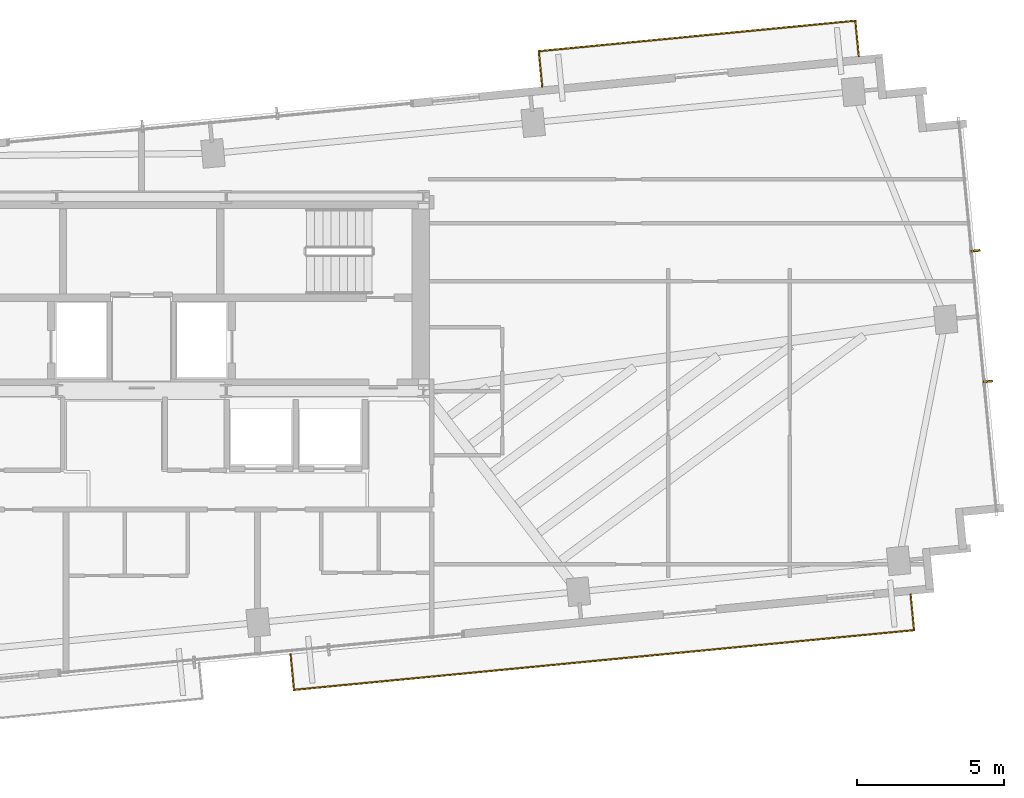
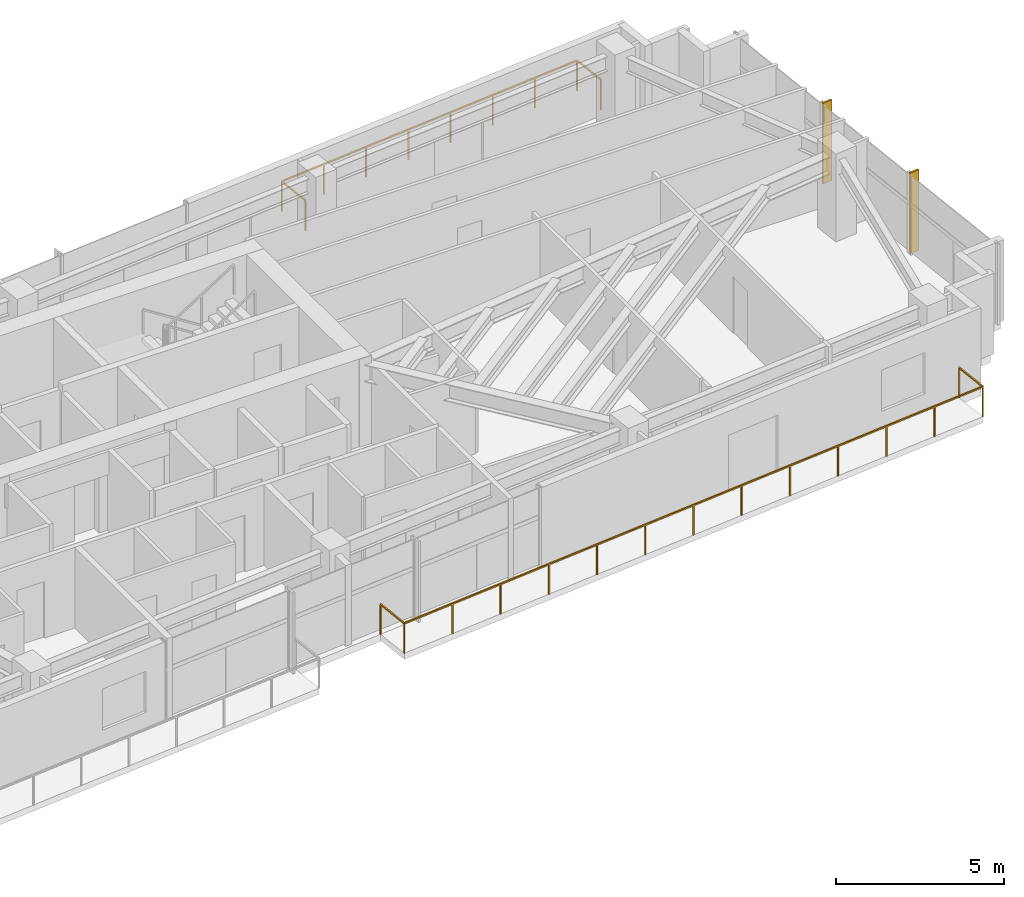
# One storey, part 18 of 18: 2 railings, 2 shading devices.
"""IFC4 building model written with IfcOpenShell, lengths in metres."""

from ifc_helpers import new_model, si_unit, direction, frame, origin, origin_2d, place, context, subcontext, project, spatial, rectangle, extrude, source, transform, mapped, material, type_object, type_shapes, element, save


model = new_model("IFC4")

# Units and contexts
model_context = context("Model", 3, precision=1e-05, world=origin(), true_north=direction((0.0, 1.0)))
body_context = subcontext(model_context, "Body", "Model", "MODEL_VIEW")
ifc_project = project(units=[si_unit("LENGTHUNIT", "METRE"), si_unit("AREAUNIT", "SQUARE_METRE"), si_unit("VOLUMEUNIT", "CUBIC_METRE"), si_unit("PLANEANGLEUNIT", "RADIAN"), si_unit("MASSUNIT", "GRAM", prefix="KILO")], contexts=[model_context])

# Site, building, storey
site_placement = place(None, origin())
site = spatial("IfcSite", under=ifc_project, at=site_placement, CompositionType="ELEMENT")
building_placement = place(site_placement, origin())
building = spatial("IfcBuilding", under=site, at=building_placement, Name="Astriad Promenade Condominiums", CompositionType="ELEMENT")
storey_placement = place(building_placement, frame((0.0, 0.0, 201.800048828125)))
storey = spatial("IfcBuildingStorey", under=building, at=storey_placement, Name="L58", CompositionType="ELEMENT", Elevation=201.800048828125)

# Shading devices
ifc_material_1 = material(Name="Anodised aluminium 6063-T6 Black Fin", Category="aluminium")
shading_device_type = type_object("IfcShadingDeviceType", Name="FIN-BLACK-260", PredefinedType="USERDEFINED", material=ifc_material_1)
shared_shape_1 = source(origin(), body_context, "Body", "SweptSolid", [
    extrude(rectangle(XDim=0.06494140625, YDim=0.320068359375, at=origin_2d()), origin(), (0.0, 0.0, 1.0), 2.93994140625),
])
type_shapes(shading_device_type, [shared_shape_1])
for number, where, z_axis, x_axis, name in (
    (1, (64.37841796875, 22.16796875, 0.0), (0.0, 0.0, 1.0), (0.09584575252, -0.995396198367, 0.0), "CW-L58-E-FIN-01"),
    (2, (64.806640625, 17.721923828125, 0.0), (0.0, 0.0, 1.0), (0.09584575252, -0.995396198367, 0.0), "CW-L58-E-FIN-02"),
):
    element("IfcShadingDevice", number, at=place(storey_placement, frame(where, z_axis=z_axis, x_axis=x_axis)), inside=storey, type_object=shading_device_type, Name=name, ObjectType="FIN", PredefinedType="USERDEFINED", context=body_context, shape_type="MappedRepresentation", body=[
        mapped(shared_shape_1, transform((0.0, 0.0, 0.0), scale=1.0)),
    ])

# Railings
ifc_material_2 = material(Name="Laminated Glass and Stainless Steel Balustrade", Category="steel")
railing_type = type_object("IfcRailingType", Name="GRD-BALC-1120", PredefinedType="BALUSTRADE", material=ifc_material_2)
shared_shape_2 = source(origin(), body_context, "Body", "SweptSolid", [
    extrude(rectangle(XDim=0.048095703125, YDim=0.048095703125, at=origin_2d()), frame((0.0, 0.0, 1.09619140625), z_axis=(0.095659020692, -0.99541416092, 0.0), x_axis=(0.99541416092, 0.095659020692, 0.0)), (0.0, 0.0, 1.0), 1.219970703125),
    extrude(rectangle(XDim=0.048095703125, YDim=0.048095703125, at=origin_2d()), frame((0.11669921875, -1.21435546875, 1.09619140625), z_axis=(0.995395094986, 0.095857210875, 0.0), x_axis=(-0.095857210875, 0.995395094986, 0.0)), (0.0, 0.0, 1.0), 21.203125),
    extrude(rectangle(XDim=0.048095703125, YDim=0.048095703125, at=origin_2d()), frame((21.22216796875, 0.818115234375, 1.09619140625), z_axis=(-0.095876405589, 0.995393246336, 0.0), x_axis=(-0.995393246336, -0.095876405589, 0.0)), (0.0, 0.0, 1.0), 1.2197265625),
    extrude(rectangle(XDim=0.0419921875, YDim=0.0419921875, at=origin_2d()), origin(), (0.0, 0.0, 1.0), 1.072021484375),
    extrude(rectangle(XDim=0.0419921875, YDim=0.0419921875, at=origin_2d()), frame((0.11669921875, -1.21435546875, 0.0)), (0.0, 0.0, 1.0), 1.072021484375),
    extrude(rectangle(XDim=0.0419921875, YDim=0.0419921875, at=origin_2d()), frame((1.87548828125, -1.044921875, 0.0)), (0.0, 0.0, 1.0), 1.072021484375),
    extrude(rectangle(XDim=0.0419921875, YDim=0.0419921875, at=origin_2d()), frame((3.63427734375, -0.87548828125, 0.0)), (0.0, 0.0, 1.0), 1.072021484375),
    extrude(rectangle(XDim=0.0419921875, YDim=0.0419921875, at=origin_2d()), frame((5.39306640625, -0.706298828125, 0.0)), (0.0, 0.0, 1.0), 1.072021484375),
    extrude(rectangle(XDim=0.0419921875, YDim=0.0419921875, at=origin_2d()), frame((7.15185546875, -0.536865234375, 0.0)), (0.0, 0.0, 1.0), 1.072021484375),
    extrude(rectangle(XDim=0.0419921875, YDim=0.0419921875, at=origin_2d()), frame((8.91064453125, -0.367431640625, 0.0)), (0.0, 0.0, 1.0), 1.072021484375),
    extrude(rectangle(XDim=0.0419921875, YDim=0.0419921875, at=origin_2d()), frame((10.66943359375, -0.1982421875, 0.0)), (0.0, 0.0, 1.0), 1.072021484375),
    extrude(rectangle(XDim=0.0419921875, YDim=0.0419921875, at=origin_2d()), frame((12.42822265625, -0.02880859375, 0.0)), (0.0, 0.0, 1.0), 1.072021484375),
    extrude(rectangle(XDim=0.0419921875, YDim=0.0419921875, at=origin_2d()), frame((14.18701171875, 0.140625, 0.0)), (0.0, 0.0, 1.0), 1.072021484375),
    extrude(rectangle(XDim=0.0419921875, YDim=0.0419921875, at=origin_2d()), frame((15.94580078125, 0.31005859375, 0.0)), (0.0, 0.0, 1.0), 1.072021484375),
    extrude(rectangle(XDim=0.0419921875, YDim=0.0419921875, at=origin_2d()), frame((17.70458984375, 0.4794921875, 0.0)), (0.0, 0.0, 1.0), 1.072021484375),
    extrude(rectangle(XDim=0.0419921875, YDim=0.0419921875, at=origin_2d()), frame((19.46337890625, 0.648681640625, 0.0)), (0.0, 0.0, 1.0), 1.072021484375),
    extrude(rectangle(XDim=0.0419921875, YDim=0.0419921875, at=origin_2d()), frame((21.22216796875, 0.818115234375, 0.0)), (0.0, 0.0, 1.0), 1.072021484375),
    extrude(rectangle(XDim=0.0419921875, YDim=0.0419921875, at=origin_2d()), frame((21.105224609375, 2.0322265625, 0.0)), (0.0, 0.0, 1.0), 1.072021484375),
])
railing_1_placement = place(storey_placement, frame((41.0712890625, 8.4375, 0.0)))
element("IfcRailing", 3, at=railing_1_placement, inside=storey, type_object=railing_type, Name="GRD-BALC-L58-SE", PredefinedType="BALUSTRADE", context=body_context, shape_type="MappedRepresentation", body=[
    mapped(shared_shape_2, transform((0.0, 0.0, 0.0), scale=1.0)),
])
shared_shape_3 = source(origin(), body_context, "Body", "SweptSolid", [
    extrude(rectangle(XDim=0.048095703125, YDim=0.048095703125, at=origin_2d()), frame((0.0, 0.0, 1.09619140625), z_axis=(-0.095857307208, 0.99539508571, 0.0), x_axis=(-0.99539508571, -0.095857307208, 0.0)), (0.0, 0.0, 1.0), 1.219970703125),
    extrude(rectangle(XDim=0.048095703125, YDim=0.048095703125, at=origin_2d()), frame((-0.116943359375, 1.21435546875, 1.09619140625), z_axis=(-0.995397454068, -0.095832710669, 0.0), x_axis=(0.095832710669, -0.995397454068, 0.0)), (0.0, 0.0, 1.0), 10.8271484375),
    extrude(rectangle(XDim=0.048095703125, YDim=0.048095703125, at=origin_2d()), frame((-10.894287109375, 0.1767578125, 1.09619140625), z_axis=(0.096036452752, -0.995377817586, 0.0), x_axis=(0.995377817586, 0.096036452752, 0.0)), (0.0, 0.0, 1.0), 1.22021484375),
    extrude(rectangle(XDim=0.0419921875, YDim=0.0419921875, at=origin_2d()), origin(), (0.0, 0.0, 1.0), 1.072021484375),
    extrude(rectangle(XDim=0.0419921875, YDim=0.0419921875, at=origin_2d()), frame((-0.116943359375, 1.21435546875, 0.0)), (0.0, 0.0, 1.0), 1.072021484375),
    extrude(rectangle(XDim=0.0419921875, YDim=0.0419921875, at=origin_2d()), frame((-1.656494140625, 1.066162109375, 0.0)), (0.0, 0.0, 1.0), 1.072021484375),
    extrude(rectangle(XDim=0.0419921875, YDim=0.0419921875, at=origin_2d()), frame((-3.1962890625, 0.91796875, 0.0)), (0.0, 0.0, 1.0), 1.072021484375),
    extrude(rectangle(XDim=0.0419921875, YDim=0.0419921875, at=origin_2d()), frame((-4.73583984375, 0.769775390625, 0.0)), (0.0, 0.0, 1.0), 1.072021484375),
    extrude(rectangle(XDim=0.0419921875, YDim=0.0419921875, at=origin_2d()), frame((-6.275390625, 0.621337890625, 0.0)), (0.0, 0.0, 1.0), 1.072021484375),
    extrude(rectangle(XDim=0.0419921875, YDim=0.0419921875, at=origin_2d()), frame((-7.81494140625, 0.47314453125, 0.0)), (0.0, 0.0, 1.0), 1.072021484375),
    extrude(rectangle(XDim=0.0419921875, YDim=0.0419921875, at=origin_2d()), frame((-9.354736328125, 0.324951171875, 0.0)), (0.0, 0.0, 1.0), 1.072021484375),
    extrude(rectangle(XDim=0.0419921875, YDim=0.0419921875, at=origin_2d()), frame((-10.894287109375, 0.1767578125, 0.0)), (0.0, 0.0, 1.0), 1.072021484375),
    extrude(rectangle(XDim=0.0419921875, YDim=0.0419921875, at=origin_2d()), frame((-10.777099609375, -1.037841796875, 0.0)), (0.0, 0.0, 1.0), 1.072021484375),
])
type_shapes(railing_type, [shared_shape_2, shared_shape_3])
railing_2_placement = place(storey_placement, frame((60.4130859375, 28.78515625, 0.0)))
element("IfcRailing", 4, at=railing_2_placement, inside=storey, type_object=railing_type, Name="GRD-BALC-L58-NE", PredefinedType="BALUSTRADE", context=body_context, shape_type="MappedRepresentation", body=[
    mapped(shared_shape_3, transform((0.0, 0.0, 0.0), scale=1.0)),
])

save(model, "model.ifc")
